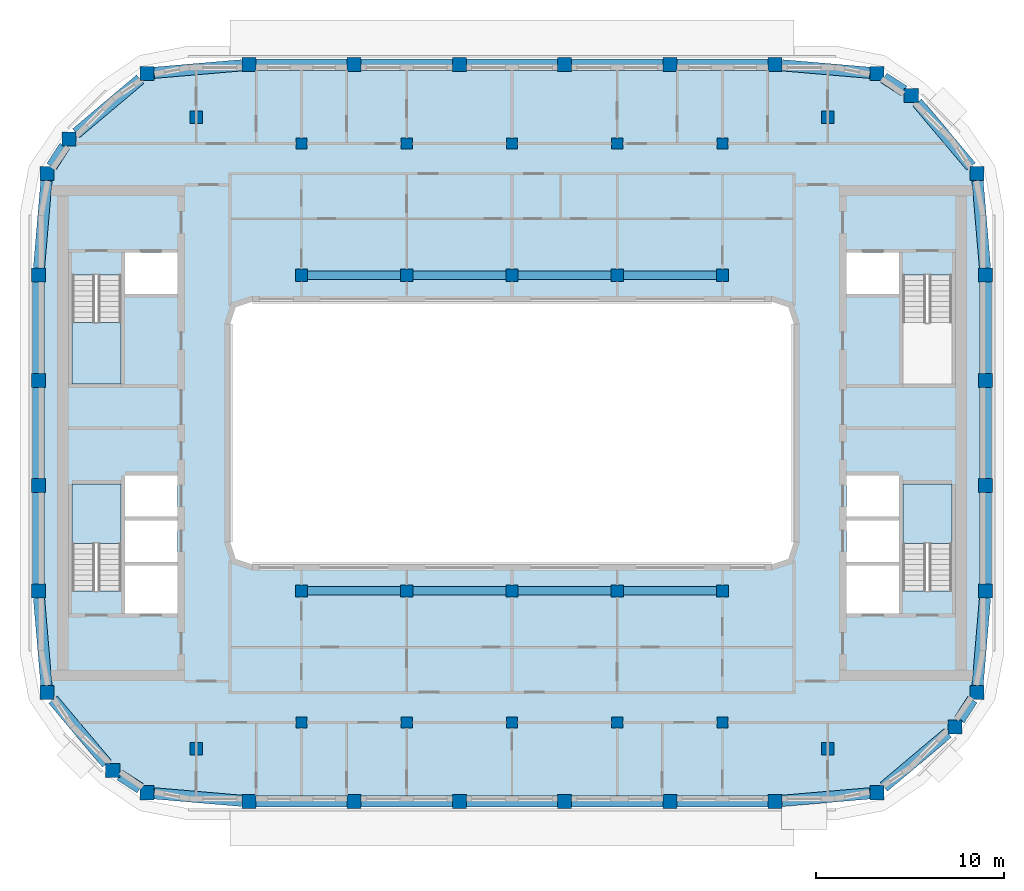
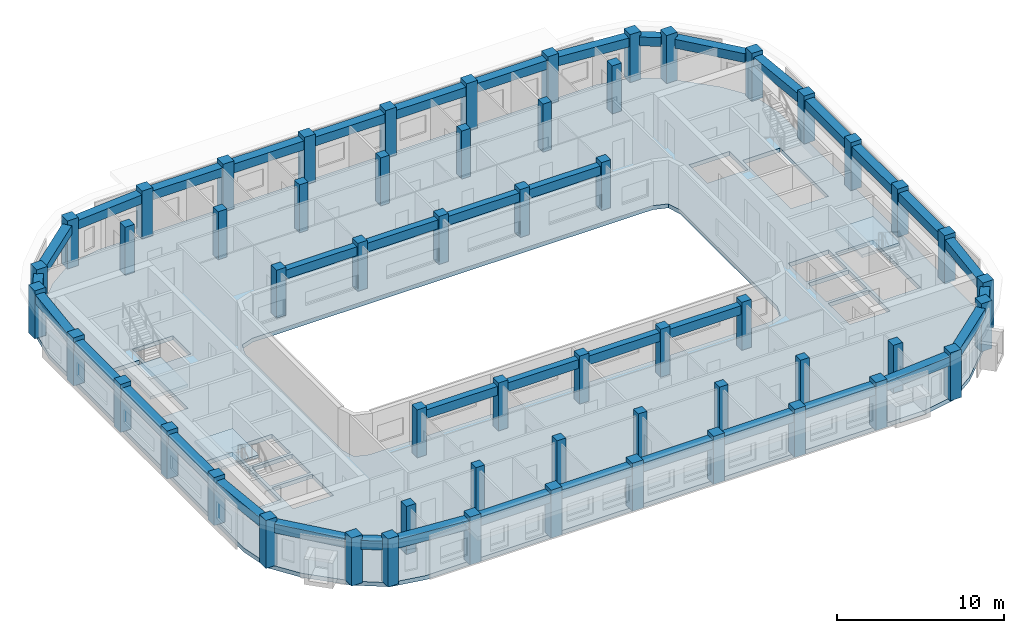
# One storey, part 1 of 16: 56 columns, 40 beams, 4 slabs, 3 elements without a shape of their own.
"""IFC4 building model written with IfcOpenShell, lengths in metres."""

import ifcopenshell
import ifcopenshell.guid

model = None  # the IFC model being written
_history = None  # IfcOwnerHistory: only IFC2X3 demands one
_inside = {}  # id of a spatial element -> (the spatial element, [elements in it])
_under = {}  # id of a project, library or spatial element -> (it, [spatial elements below it])
_declared = {}  # id of a project -> (the project, [libraries it declares])
_typed = {}  # id of a type object -> (the type object, [elements of that type])
_made_of = {}  # id of a material, layer set ... -> (it, [elements and type objects made of it])


def new_model(schema):
    """Start an empty IFC model of exactly this schema.

    Asked for "IFC4X3", IfcOpenShell would pick the latest addendum, in which some entities
    have other attributes; the version numbers below select the first issue.
    IFC2X3 requires an IfcOwnerHistory on every rooted entity: one is made here for all.
    """
    global model, _history
    if schema == "IFC4X3":
        model = ifcopenshell.file(schema_version=(4, 3, 0, 0))
    else:
        model = ifcopenshell.file(schema=schema)
    _inside.clear()
    _under.clear()
    _declared.clear()
    _typed.clear()
    _made_of.clear()
    _history = None
    if model.schema == "IFC2X3":
        org = make("IfcOrganization", Name="unknown")
        user = make(
            "IfcPersonAndOrganization",
            ThePerson=make("IfcPerson", FamilyName="unknown"),
            TheOrganization=org,
        )
        app = make(
            "IfcApplication",
            ApplicationDeveloper=org,
            Version="unknown",
            ApplicationFullName="unknown",
            ApplicationIdentifier="unknown",
        )
        _history = make(
            "IfcOwnerHistory",
            OwningUser=user,
            OwningApplication=app,
            ChangeAction="ADDED",
            CreationDate=0,
        )
    return model


def make(cls, **values):
    """One entity of the class cls with the attributes given. An attribute that is None is left unset."""
    return model.create_entity(
        cls, **{name: value for name, value in values.items() if value is not None}
    )


def rooted(cls, **values):
    """An entity with a GlobalId (a new one), such as an element, a storey or a relation."""
    return make(cls, GlobalId=ifcopenshell.guid.new(), OwnerHistory=_history, **values)


def si_unit(unit_type, name, prefix=None):
    """IfcSIUnit, for example si_unit("LENGTHUNIT", "METRE", prefix="MILLI")."""
    return make("IfcSIUnit", UnitType=unit_type, Prefix=prefix, Name=name)


def assignment(units):
    """IfcUnitAssignment: the units of a project."""
    return None if units is None else make("IfcUnitAssignment", Units=units)


def point(xyz):
    """IfcCartesianPoint."""
    return None if xyz is None else make("IfcCartesianPoint", Coordinates=xyz)


def direction(xyz):
    """IfcDirection."""
    return None if xyz is None else make("IfcDirection", DirectionRatios=xyz)


def frame(location, z_axis=None, x_axis=None):
    """IfcAxis2Placement3D, a coordinate frame: its origin and axes. An axis left out is left unset."""
    return make(
        "IfcAxis2Placement3D",
        Location=point(location),
        Axis=direction(z_axis),
        RefDirection=direction(x_axis),
    )


def frame_2d(location, x_axis=None):
    """IfcAxis2Placement2D, a coordinate frame in the plane: its origin and x axis."""
    return make(
        "IfcAxis2Placement2D", Location=point(location), RefDirection=direction(x_axis)
    )


def origin():
    """The frame at (0, 0, 0) with its axes left unset."""
    return frame((0.0, 0.0, 0.0))


def origin_2d():
    """The frame at (0, 0) in the plane with its x axis left unset."""
    return frame_2d((0.0, 0.0))


def place(relative_to, where):
    """IfcLocalPlacement: puts the frame where relative to a parent placement (None: the world)."""
    return make(
        "IfcLocalPlacement", PlacementRelTo=relative_to, RelativePlacement=where
    )


def context(
    kind, dimensions, precision=None, world=None, true_north=None, identifier=None
):
    """IfcGeometricRepresentationContext, for example the 3D "Model" context."""
    return make(
        "IfcGeometricRepresentationContext",
        ContextIdentifier=identifier,
        ContextType=kind,
        CoordinateSpaceDimension=dimensions,
        Precision=precision,
        WorldCoordinateSystem=world,
        TrueNorth=true_north,
    )


def subcontext(parent, identifier, kind, view, scale=None):
    """IfcGeometricRepresentationSubContext, for example "Body" below "Model"."""
    return make(
        "IfcGeometricRepresentationSubContext",
        ContextIdentifier=identifier,
        ContextType=kind,
        ParentContext=parent,
        TargetScale=scale,
        TargetView=view,
    )


def project(units=None, contexts=None):
    """IfcProject with its units and contexts."""
    return rooted(
        "IfcProject",
        Name="project",
        RepresentationContexts=contexts,
        UnitsInContext=assignment(units),
    )


def spatial(cls, under=None, at=None, **own):
    """A site, building, storey or space (cls), placed at a placement, below another one or the project."""
    s = rooted(cls, ObjectPlacement=at, **own)
    if under is not None:
        _under.setdefault(under.id(), (under, []))[1].append(s)
    return s


def polyline(points):
    """IfcPolyline through the points."""
    return make("IfcPolyline", Points=[point(p) for p in points])


def profile(cls, at=None, kind="AREA", **sizes):
    """A parametric profile (cls). Its sizes go by their IFC names, for example OverallWidth=200.0."""
    return make(cls, ProfileType=kind, Position=at, **sizes)


def rectangle(**sizes):
    """IfcRectangleProfileDef."""
    return profile("IfcRectangleProfileDef", **sizes)


def outline(outer, holes=None, kind="AREA"):
    """IfcArbitraryClosedProfileDef: a profile drawn as a closed curve; with holes, ...WithVoids."""
    if holes is None:
        return make("IfcArbitraryClosedProfileDef", ProfileType=kind, OuterCurve=outer)
    return make(
        "IfcArbitraryProfileDefWithVoids",
        ProfileType=kind,
        OuterCurve=outer,
        InnerCurves=holes,
    )


def extrude(swept, where, along, depth):
    """IfcExtrudedAreaSolid: the profile swept, set in the frame where, extruded along a direction by depth."""
    return make(
        "IfcExtrudedAreaSolid",
        SweptArea=swept,
        Position=where,
        ExtrudedDirection=direction(along),
        Depth=depth,
    )


def shape(context_of_items, identifier, shape_type, items):
    """IfcShapeRepresentation: the items that make up one representation, for example the "Body"."""
    return make(
        "IfcShapeRepresentation",
        ContextOfItems=context_of_items,
        RepresentationIdentifier=identifier,
        RepresentationType=shape_type,
        Items=items,
    )


def material(Name=None, Category=None):
    """IfcMaterial."""
    return make("IfcMaterial", Name=Name, Category=Category)


def layer(
    of_material, thickness, ventilated=None, Name=None, Category=None, Priority=None
):
    """IfcMaterialLayer: one layer of a wall or slab, of a material (None: an air gap)."""
    return make(
        "IfcMaterialLayer",
        Material=of_material,
        LayerThickness=thickness,
        IsVentilated=ventilated,
        Name=Name,
        Category=Category,
        Priority=Priority,
    )


def layer_set(layers, Name=None):
    """IfcMaterialLayerSet."""
    return make("IfcMaterialLayerSet", MaterialLayers=layers, LayerSetName=Name)


def material_profile(
    of_material, cross_section, Name=None, Category=None, Priority=None
):
    """IfcMaterialProfile: a cross section and its material."""
    return make(
        "IfcMaterialProfile",
        Name=Name,
        Material=of_material,
        Profile=cross_section,
        Priority=Priority,
        Category=Category,
    )


def profile_set(profiles, Name=None, composite=None):
    """IfcMaterialProfileSet."""
    return make(
        "IfcMaterialProfileSet",
        Name=Name,
        MaterialProfiles=profiles,
        CompositeProfile=composite,
    )


def made_of(thing, what):
    """Note that an element or type object is made of a material, layer set ...; save() writes the relation."""
    if what is not None:
        _made_of.setdefault(what.id(), (what, []))[1].append(thing)
    return thing


def type_object(cls, material=None, **own):
    """A type object (cls), such as IfcWallType, which elements share."""
    return made_of(rooted(cls, **own), material)


def element(
    cls,
    number,
    at=None,
    inside=None,
    cuts=None,
    type_object=None,
    material=None,
    context=None,
    identifier="Body",
    shape_type=None,
    held_by="IfcProductDefinitionShape",
    body=None,
    shapes=None,
    **own,
):
    """One element of the class cls, such as IfcWall. Its Tag is "e" and its number.

    at: its placement. inside: the storey or other place that contains it. cuts: it is an
    opening in that element (IfcRelVoidsElement). A single representation is given by context,
    identifier, shape_type and body (its items); several are given by shapes. held_by: the class
    of the entity that holds the representations. save() writes the other relations.
    """
    e = rooted(cls, Tag="e%d" % number, ObjectPlacement=at, **own)
    if body is not None:
        shapes = [shape(context, identifier, shape_type, body)]
    if shapes is not None:
        e.Representation = make(held_by, Representations=shapes)
    if inside is not None:
        _inside.setdefault(inside.id(), (inside, []))[1].append(e)
    if cuts is not None:
        rooted(
            "IfcRelVoidsElement", RelatingBuildingElement=cuts, RelatedOpeningElement=e
        )
    if type_object is not None:
        _typed.setdefault(type_object.id(), (type_object, []))[1].append(e)
    return made_of(e, material)


def aggregate(whole, parts):
    """IfcRelAggregates: a whole, such as a stair, and the parts it consists of."""
    return rooted("IfcRelAggregates", RelatingObject=whole, RelatedObjects=parts)


def save(model, path):
    """Write the relations noted so far, then the file.

    IfcRelAggregates (storeys below a building ...), IfcRelContainedInSpatialStructure (elements
    in a storey), IfcRelDefinesByType, IfcRelAssociatesMaterial and IfcRelDeclares: one each for
    every whole, place, type object, material and project.
    """
    for whole, parts in _under.values():
        aggregate(whole, parts)
    for where, things in _inside.values():
        rooted(
            "IfcRelContainedInSpatialStructure",
            RelatedElements=things,
            RelatingStructure=where,
        )
    for kind, things in _typed.values():
        rooted("IfcRelDefinesByType", RelatedObjects=things, RelatingType=kind)
    for what, things in _made_of.values():
        rooted("IfcRelAssociatesMaterial", RelatedObjects=things, RelatingMaterial=what)
    for by, libraries in _declared.values():
        rooted("IfcRelDeclares", RelatingContext=by, RelatedDefinitions=libraries)
    model.write(path)


model = new_model("IFC4")

# Units and contexts
model_context = context("Model", 3, precision=1e-05, world=origin(), true_north=direction((0.0, 1.0)))
body_context = subcontext(model_context, "Body", "Model", "MODEL_VIEW")
ifc_project = project(units=[si_unit("LENGTHUNIT", "METRE"), si_unit("AREAUNIT", "SQUARE_METRE"), si_unit("VOLUMEUNIT", "CUBIC_METRE"), si_unit("PLANEANGLEUNIT", "RADIAN"), si_unit("MASSUNIT", "GRAM", prefix="KILO")], contexts=[model_context])

# Site, building, storey
site_placement = place(None, origin())
site = spatial("IfcSite", under=ifc_project, at=site_placement, CompositionType="ELEMENT")
building_placement = place(site_placement, origin())
building = spatial("IfcBuilding", under=site, at=building_placement, Name="Kiln Ring Residences", CompositionType="ELEMENT")
storey_placement = place(building_placement, frame((0.0, 0.0, 273.199951171875)))
storey = spatial("IfcBuildingStorey", under=building, at=storey_placement, Name="L71", CompositionType="ELEMENT", Elevation=273.199951171875)

# Columns
ifc_material_1 = material(Name="Concrete C60/75", Category="concrete")
ifc_material_profile_1 = material_profile(ifc_material_1, rectangle(XDim=0.60009765625, YDim=0.60009765625, at=origin_2d()), Name="RC600x600")
ifc_profile_set_1 = profile_set([ifc_material_profile_1], Name="Concrete C60/75")
column_type_1 = type_object("IfcColumnType", Name="Corridor column RC600x600 C60/75", PredefinedType="COLUMN", material=ifc_profile_set_1)
for number, where, z_axis, x_axis, name in (
    (1, (-11.199951171875, 15.39990234375, 0.0), (0.0, 0.0, 1.0), (1.0, 0.0, 0.0), "Corridor column L71 1"),
    (2, (-5.60009765625, 15.39990234375, 0.0), (0.0, 0.0, 1.0), (1.0, 0.0, 0.0), "Corridor column L71 2"),
    (3, (0.0, 15.39990234375, 0.0), (0.0, 0.0, 1.0), (1.0, 0.0, 0.0), "Corridor column L71 3"),
    (4, (5.60009765625, 15.39990234375, 0.0), (0.0, 0.0, 1.0), (1.0, 0.0, 0.0), "Corridor column L71 4"),
    (5, (11.199951171875, 15.39990234375, 0.0), (0.0, 0.0, 1.0), (1.0, 0.0, 0.0), "Corridor column L71 5"),
    (6, (-11.199951171875, -15.39990234375, 0.0), (0.0, 0.0, 1.0), (1.0, 0.0, 0.0), "Corridor column L71 6"),
    (7, (-5.60009765625, -15.39990234375, 0.0), (0.0, 0.0, 1.0), (1.0, 0.0, 0.0), "Corridor column L71 7"),
    (8, (0.0, -15.39990234375, 0.0), (0.0, 0.0, 1.0), (1.0, 0.0, 0.0), "Corridor column L71 8"),
    (9, (5.60009765625, -15.39990234375, 0.0), (0.0, 0.0, 1.0), (1.0, 0.0, 0.0), "Corridor column L71 9"),
    (10, (11.199951171875, -15.39990234375, 0.0), (0.0, 0.0, 1.0), (1.0, 0.0, 0.0), "Corridor column L71 10"),
):
    element("IfcColumn", number, at=place(storey_placement, frame(where, z_axis=z_axis, x_axis=x_axis)), inside=storey, type_object=column_type_1, Name=name, PredefinedType="COLUMN", context=body_context, shape_type="SweptSolid", body=[
        extrude(rectangle(XDim=0.60009765625, YDim=0.60009765625, at=origin_2d()), origin(), (0.0, 0.0, 1.0), 3.5),
    ])
ifc_material_2 = material(Name="Concrete C60/75", Category="concrete")
ifc_material_profile_2 = material_profile(ifc_material_2, rectangle(XDim=0.75, YDim=0.75, at=origin_2d()), Name="RC750x750")
ifc_profile_set_2 = profile_set([ifc_material_profile_2], Name="Concrete C60/75")
column_type_2 = type_object("IfcColumnType", Name="Perimeter column RC750x750 C60/75", PredefinedType="COLUMN", material=ifc_profile_set_2)
for number, where, z_axis, x_axis, name in (
    (11, (-19.40869140625, -19.13818359375, 0.0), (0.0, 0.0, 1.0), (1.0, 0.0, 0.0), "Perimeter column L71 1"),
    (12, (-14.0, -19.60009765625, 0.0), (0.0, 0.0, 1.0), (1.0, 0.0, 0.0), "Perimeter column L71 2"),
    (13, (-8.39990234375, -19.60009765625, 0.0), (0.0, 0.0, 1.0), (1.0, 0.0, 0.0), "Perimeter column L71 3"),
    (14, (-2.800048828125, -19.60009765625, 0.0), (0.0, 0.0, 1.0), (1.0, 0.0, 0.0), "Perimeter column L71 4"),
    (15, (2.800048828125, -19.60009765625, 0.0), (0.0, 0.0, 1.0), (1.0, 0.0, 0.0), "Perimeter column L71 5"),
    (16, (8.39990234375, -19.60009765625, 0.0), (0.0, 0.0, 1.0), (1.0, 0.0, 0.0), "Perimeter column L71 6"),
    (17, (14.0, -19.60009765625, 0.0), (0.0, 0.0, 1.0), (1.0, 0.0, 0.0), "Perimeter column L71 7"),
    (18, (19.40869140625, -19.13818359375, 0.0), (0.0, 0.0, 1.0), (1.0, 0.0, 0.0), "Perimeter column L71 8"),
    (19, (23.559814453125, -15.64013671875, 0.0), (0.0, 0.0, 1.0), (1.0, 0.0, 0.0), "Perimeter column L71 9"),
    (20, (24.738037109375, -13.80859375, 0.0), (0.0, 0.0, 1.0), (1.0, 0.0, 0.0), "Perimeter column L71 10"),
    (21, (25.199951171875, -8.39990234375, 0.0), (0.0, 0.0, 1.0), (1.0, 0.0, 0.0), "Perimeter column L71 11"),
    (22, (25.199951171875, -2.800048828125, 0.0), (0.0, 0.0, 1.0), (1.0, 0.0, 0.0), "Perimeter column L71 12"),
    (23, (25.199951171875, 2.800048828125, 0.0), (0.0, 0.0, 1.0), (1.0, 0.0, 0.0), "Perimeter column L71 13"),
    (24, (25.199951171875, 8.39990234375, 0.0), (0.0, 0.0, 1.0), (1.0, 0.0, 0.0), "Perimeter column L71 14"),
    (25, (24.738037109375, 13.80859375, 0.0), (0.0, 0.0, 1.0), (1.0, 0.0, 0.0), "Perimeter column L71 15"),
    (26, (21.240234375, 17.959716796875, 0.0), (0.0, 0.0, 1.0), (1.0, 0.0, 0.0), "Perimeter column L71 16"),
    (27, (19.40869140625, 19.13818359375, 0.0), (0.0, 0.0, 1.0), (1.0, 0.0, 0.0), "Perimeter column L71 17"),
    (28, (14.0, 19.60009765625, 0.0), (0.0, 0.0, 1.0), (1.0, 0.0, 0.0), "Perimeter column L71 18"),
    (29, (8.39990234375, 19.60009765625, 0.0), (0.0, 0.0, 1.0), (1.0, 0.0, 0.0), "Perimeter column L71 19"),
    (30, (2.800048828125, 19.60009765625, 0.0), (0.0, 0.0, 1.0), (1.0, 0.0, 0.0), "Perimeter column L71 20"),
    (31, (-2.800048828125, 19.60009765625, 0.0), (0.0, 0.0, 1.0), (1.0, 0.0, 0.0), "Perimeter column L71 21"),
    (32, (-8.39990234375, 19.60009765625, 0.0), (0.0, 0.0, 1.0), (1.0, 0.0, 0.0), "Perimeter column L71 22"),
    (33, (-14.0, 19.60009765625, 0.0), (0.0, 0.0, 1.0), (1.0, 0.0, 0.0), "Perimeter column L71 23"),
    (34, (-19.40869140625, 19.13818359375, 0.0), (0.0, 0.0, 1.0), (1.0, 0.0, 0.0), "Perimeter column L71 24"),
    (35, (-23.559814453125, 15.64013671875, 0.0), (0.0, 0.0, 1.0), (1.0, 0.0, 0.0), "Perimeter column L71 25"),
    (36, (-24.738037109375, 13.80859375, 0.0), (0.0, 0.0, 1.0), (1.0, 0.0, 0.0), "Perimeter column L71 26"),
    (37, (-25.199951171875, 8.39990234375, 0.0), (0.0, 0.0, 1.0), (1.0, 0.0, 0.0), "Perimeter column L71 27"),
    (38, (-25.199951171875, 2.800048828125, 0.0), (0.0, 0.0, 1.0), (1.0, 0.0, 0.0), "Perimeter column L71 28"),
    (39, (-25.199951171875, -2.800048828125, 0.0), (0.0, 0.0, 1.0), (1.0, 0.0, 0.0), "Perimeter column L71 29"),
    (40, (-25.199951171875, -8.39990234375, 0.0), (0.0, 0.0, 1.0), (1.0, 0.0, 0.0), "Perimeter column L71 30"),
    (41, (-24.738037109375, -13.80859375, 0.0), (0.0, 0.0, 1.0), (1.0, 0.0, 0.0), "Perimeter column L71 31"),
    (42, (-21.240234375, -17.959716796875, 0.0), (0.0, 0.0, 1.0), (1.0, 0.0, 0.0), "Perimeter column L71 32"),
):
    element("IfcColumn", number, at=place(storey_placement, frame(where, z_axis=z_axis, x_axis=x_axis)), inside=storey, type_object=column_type_2, Name=name, PredefinedType="COLUMN", context=body_context, shape_type="SweptSolid", body=[
        extrude(rectangle(XDim=0.75, YDim=0.75, at=origin_2d()), origin(), (0.0, 0.0, 1.0), 3.5),
    ])
ifc_material_3 = material(Name="Concrete C60/75", Category="concrete")
ifc_material_profile_3 = material_profile(ifc_material_3, rectangle(XDim=0.64990234375, YDim=0.64990234375, at=origin_2d()), Name="RC650x650")
ifc_profile_set_3 = profile_set([ifc_material_profile_3], Name="Concrete C60/75")
column_type_3 = type_object("IfcColumnType", Name="Ring column RC650x650 C60/75", PredefinedType="COLUMN", material=ifc_profile_set_3)
for number, where, z_axis, x_axis, name in (
    (43, (-16.800048828125, -16.800048828125, 0.0), (0.0, 0.0, 1.0), (1.0, 0.0, 0.0), "Ring column L71 1"),
    (44, (-16.800048828125, 16.800048828125, 0.0), (0.0, 0.0, 1.0), (1.0, 0.0, 0.0), "Ring column L71 2"),
    (45, (-11.199951171875, -8.39990234375, 0.0), (0.0, 0.0, 1.0), (1.0, 0.0, 0.0), "Ring column L71 3"),
    (46, (-11.199951171875, 8.39990234375, 0.0), (0.0, 0.0, 1.0), (1.0, 0.0, 0.0), "Ring column L71 4"),
    (47, (-5.60009765625, -8.39990234375, 0.0), (0.0, 0.0, 1.0), (1.0, 0.0, 0.0), "Ring column L71 5"),
    (48, (-5.60009765625, 8.39990234375, 0.0), (0.0, 0.0, 1.0), (1.0, 0.0, 0.0), "Ring column L71 6"),
    (49, (0.0, -8.39990234375, 0.0), (0.0, 0.0, 1.0), (1.0, 0.0, 0.0), "Ring column L71 7"),
    (50, (0.0, 8.39990234375, 0.0), (0.0, 0.0, 1.0), (1.0, 0.0, 0.0), "Ring column L71 8"),
    (51, (5.60009765625, -8.39990234375, 0.0), (0.0, 0.0, 1.0), (1.0, 0.0, 0.0), "Ring column L71 9"),
    (52, (5.60009765625, 8.39990234375, 0.0), (0.0, 0.0, 1.0), (1.0, 0.0, 0.0), "Ring column L71 10"),
    (53, (11.199951171875, -8.39990234375, 0.0), (0.0, 0.0, 1.0), (1.0, 0.0, 0.0), "Ring column L71 11"),
    (54, (11.199951171875, 8.39990234375, 0.0), (0.0, 0.0, 1.0), (1.0, 0.0, 0.0), "Ring column L71 12"),
    (55, (16.800048828125, -16.800048828125, 0.0), (0.0, 0.0, 1.0), (1.0, 0.0, 0.0), "Ring column L71 13"),
    (56, (16.800048828125, 16.800048828125, 0.0), (0.0, 0.0, 1.0), (1.0, 0.0, 0.0), "Ring column L71 14"),
):
    element("IfcColumn", number, at=place(storey_placement, frame(where, z_axis=z_axis, x_axis=x_axis)), inside=storey, type_object=column_type_3, Name=name, PredefinedType="COLUMN", context=body_context, shape_type="SweptSolid", body=[
        extrude(rectangle(XDim=0.64990234375, YDim=0.64990234375, at=origin_2d()), origin(), (0.0, 0.0, 1.0), 3.5),
    ])

# Beams
ifc_material_4 = material(Name="Concrete C50/60", Category="concrete")
ifc_material_profile_4 = material_profile(ifc_material_4, rectangle(XDim=0.449951171875, YDim=0.64990234375, at=origin_2d()), Name="RC450x650")
ifc_profile_set_4 = profile_set([ifc_material_profile_4], Name="Concrete C50/60")
beam_type_1 = type_object("IfcBeamType", Name="Ring beam RC450x650 C50/60", PredefinedType="BEAM", material=ifc_profile_set_4)
for number, where, z_axis, x_axis, name in (
    (57, (-10.875, -8.39990234375, 2.875), (1.0, 0.0, 0.0), (0.0, 1.0, 0.0), "Ring beam L71 1"),
    (58, (-5.27490234375, -8.39990234375, 2.875), (1.0, 0.0, 0.0), (0.0, 1.0, 0.0), "Ring beam L71 2"),
    (59, (0.324951171875, -8.39990234375, 2.875), (1.0, 0.0, 0.0), (0.0, 1.0, 0.0), "Ring beam L71 3"),
    (60, (5.925048828125, -8.39990234375, 2.875), (1.0, 0.0, 0.0), (0.0, 1.0, 0.0), "Ring beam L71 4"),
    (61, (-10.875, 8.39990234375, 2.875), (1.0, 0.0, 0.0), (0.0, 1.0, 0.0), "Ring beam L71 5"),
    (62, (-5.27490234375, 8.39990234375, 2.875), (1.0, 0.0, 0.0), (0.0, 1.0, 0.0), "Ring beam L71 6"),
    (63, (0.324951171875, 8.39990234375, 2.875), (1.0, 0.0, 0.0), (0.0, 1.0, 0.0), "Ring beam L71 7"),
    (64, (5.925048828125, 8.39990234375, 2.875), (1.0, 0.0, 0.0), (0.0, 1.0, 0.0), "Ring beam L71 8"),
):
    element("IfcBeam", number, at=place(storey_placement, frame(where, z_axis=z_axis, x_axis=x_axis)), inside=storey, type_object=beam_type_1, Name=name, PredefinedType="BEAM", context=body_context, shape_type="SweptSolid", body=[
        extrude(rectangle(XDim=0.449951171875, YDim=0.64990234375, at=origin_2d()), origin(), (0.0, 0.0, 1.0), 4.949951171875),
    ])
ifc_material_5 = material(Name="Concrete C50/60", Category="concrete")
ifc_material_profile_5 = material_profile(ifc_material_5, rectangle(XDim=0.60009765625, YDim=0.64990234375, at=origin_2d()), Name="RC600x650")
ifc_profile_set_5 = profile_set([ifc_material_profile_5], Name="Concrete C50/60")
beam_type_2 = type_object("IfcBeamType", Name="Spandrel beam RC600x650 C50/60", PredefinedType="SPANDREL", material=ifc_profile_set_5)
beam_1_placement = place(storey_placement, frame((-19.03369140625, -19.170166015625, 2.875), z_axis=(0.996375913916, -0.085059027553, 0.0), x_axis=(0.085059027553, 0.996375913916, 0.0)))
element("IfcBeam", 65, at=beam_1_placement, inside=storey, type_object=beam_type_2, Name="Spandrel beam L71 1", PredefinedType="SPANDREL", context=body_context, shape_type="SweptSolid", body=[
    extrude(rectangle(XDim=0.60009765625, YDim=0.64990234375, at=origin_2d()), origin(), (0.0, 0.0, 1.0), 4.675537109375),
])
beam_2_placement = place(storey_placement, frame((-13.625, -19.60009765625, 2.875), z_axis=(1.0, 0.0, 0.0), x_axis=(0.0, 1.0, 0.0)))
element("IfcBeam", 66, at=beam_2_placement, inside=storey, type_object=beam_type_2, Name="Spandrel beam L71 2", PredefinedType="SPANDREL", context=body_context, shape_type="SweptSolid", body=[
    extrude(rectangle(XDim=0.60009765625, YDim=0.64990234375, at=origin_2d()), origin(), (0.0, 0.0, 1.0), 4.85009765625),
])
beam_3_placement = place(storey_placement, frame((-8.02490234375, -19.60009765625, 2.875), z_axis=(1.0, 0.0, 0.0), x_axis=(0.0, 1.0, 0.0)))
element("IfcBeam", 67, at=beam_3_placement, inside=storey, type_object=beam_type_2, Name="Spandrel beam L71 3", PredefinedType="SPANDREL", context=body_context, shape_type="SweptSolid", body=[
    extrude(rectangle(XDim=0.60009765625, YDim=0.64990234375, at=origin_2d()), origin(), (0.0, 0.0, 1.0), 4.849853515625),
])
beam_4_placement = place(storey_placement, frame((-2.425048828125, -19.60009765625, 2.875), z_axis=(1.0, 0.0, 0.0), x_axis=(0.0, 1.0, 0.0)))
element("IfcBeam", 68, at=beam_4_placement, inside=storey, type_object=beam_type_2, Name="Spandrel beam L71 4", PredefinedType="SPANDREL", context=body_context, shape_type="SweptSolid", body=[
    extrude(rectangle(XDim=0.60009765625, YDim=0.64990234375, at=origin_2d()), origin(), (0.0, 0.0, 1.0), 4.85009765625),
])
beam_5_placement = place(storey_placement, frame((3.175048828125, -19.60009765625, 2.875), z_axis=(1.0, 0.0, 0.0), x_axis=(0.0, 1.0, 0.0)))
element("IfcBeam", 69, at=beam_5_placement, inside=storey, type_object=beam_type_2, Name="Spandrel beam L71 5", PredefinedType="SPANDREL", context=body_context, shape_type="SweptSolid", body=[
    extrude(rectangle(XDim=0.60009765625, YDim=0.64990234375, at=origin_2d()), origin(), (0.0, 0.0, 1.0), 4.849853515625),
])
beam_6_placement = place(storey_placement, frame((8.77490234375, -19.60009765625, 2.875), z_axis=(1.0, 0.0, 0.0), x_axis=(0.0, 1.0, 0.0)))
element("IfcBeam", 70, at=beam_6_placement, inside=storey, type_object=beam_type_2, Name="Spandrel beam L71 6", PredefinedType="SPANDREL", context=body_context, shape_type="SweptSolid", body=[
    extrude(rectangle(XDim=0.60009765625, YDim=0.64990234375, at=origin_2d()), origin(), (0.0, 0.0, 1.0), 4.85009765625),
])
beam_7_placement = place(storey_placement, frame((14.375, -19.56787109375, 2.875), z_axis=(0.996375913916, 0.085059027553, 0.0), x_axis=(-0.085059027553, 0.996375913916, 0.0)))
element("IfcBeam", 71, at=beam_7_placement, inside=storey, type_object=beam_type_2, Name="Spandrel beam L71 7", PredefinedType="SPANDREL", context=body_context, shape_type="SweptSolid", body=[
    extrude(rectangle(XDim=0.60009765625, YDim=0.64990234375, at=origin_2d()), origin(), (0.0, 0.0, 1.0), 4.675537109375),
])
beam_8_placement = place(storey_placement, frame((19.78369140625, -18.822021484375, 2.875), z_axis=(0.764731805725, 0.644348714062, 0.0), x_axis=(-0.644348714062, 0.764731805725, 0.0)))
element("IfcBeam", 72, at=beam_8_placement, inside=storey, type_object=beam_type_2, Name="Spandrel beam L71 8", PredefinedType="SPANDREL", context=body_context, shape_type="SweptSolid", body=[
    extrude(rectangle(XDim=0.60009765625, YDim=0.64990234375, at=origin_2d()), origin(), (0.0, 0.0, 1.0), 4.447509765625),
])
beam_9_placement = place(storey_placement, frame((23.801025390625, -15.26513671875, 2.875), z_axis=(0.541045404444, 0.840993383048, 0.0), x_axis=(-0.840993383048, 0.541045404444, 0.0)))
element("IfcBeam", 73, at=beam_9_placement, inside=storey, type_object=beam_type_2, Name="Spandrel beam L71 9", PredefinedType="SPANDREL", context=body_context, shape_type="SweptSolid", body=[
    extrude(rectangle(XDim=0.60009765625, YDim=0.64990234375, at=origin_2d()), origin(), (0.0, 0.0, 1.0), 1.2861328125),
])
beam_10_placement = place(storey_placement, frame((24.77001953125, -13.43359375, 2.875), z_axis=(0.085110864913, 0.996371487285, 0.0), x_axis=(-0.996371487285, 0.085110864913, 0.0)))
element("IfcBeam", 74, at=beam_10_placement, inside=storey, type_object=beam_type_2, Name="Spandrel beam L71 10", PredefinedType="SPANDREL", context=body_context, shape_type="SweptSolid", body=[
    extrude(rectangle(XDim=0.60009765625, YDim=0.64990234375, at=origin_2d()), origin(), (0.0, 0.0, 1.0), 4.675537109375),
])
beam_11_placement = place(storey_placement, frame((25.199951171875, -8.02490234375, 2.875), z_axis=(0.0, 1.0, 0.0), x_axis=(-1.0, 0.0, 0.0)))
element("IfcBeam", 75, at=beam_11_placement, inside=storey, type_object=beam_type_2, Name="Spandrel beam L71 11", PredefinedType="SPANDREL", context=body_context, shape_type="SweptSolid", body=[
    extrude(rectangle(XDim=0.60009765625, YDim=0.64990234375, at=origin_2d()), origin(), (0.0, 0.0, 1.0), 4.849853515625),
])
beam_12_placement = place(storey_placement, frame((25.199951171875, -2.425048828125, 2.875), z_axis=(0.0, 1.0, 0.0), x_axis=(-1.0, 0.0, 0.0)))
element("IfcBeam", 76, at=beam_12_placement, inside=storey, type_object=beam_type_2, Name="Spandrel beam L71 12", PredefinedType="SPANDREL", context=body_context, shape_type="SweptSolid", body=[
    extrude(rectangle(XDim=0.60009765625, YDim=0.64990234375, at=origin_2d()), origin(), (0.0, 0.0, 1.0), 4.85009765625),
])
beam_13_placement = place(storey_placement, frame((25.199951171875, 3.175048828125, 2.875), z_axis=(0.0, 1.0, 0.0), x_axis=(-1.0, 0.0, 0.0)))
element("IfcBeam", 77, at=beam_13_placement, inside=storey, type_object=beam_type_2, Name="Spandrel beam L71 13", PredefinedType="SPANDREL", context=body_context, shape_type="SweptSolid", body=[
    extrude(rectangle(XDim=0.60009765625, YDim=0.64990234375, at=origin_2d()), origin(), (0.0, 0.0, 1.0), 4.849853515625),
])
beam_14_placement = place(storey_placement, frame((25.16796875, 8.77490234375, 2.875), z_axis=(-0.085110864913, 0.996371487285, 0.0), x_axis=(-0.996371487285, -0.085110864913, 0.0)))
element("IfcBeam", 78, at=beam_14_placement, inside=storey, type_object=beam_type_2, Name="Spandrel beam L71 14", PredefinedType="SPANDREL", context=body_context, shape_type="SweptSolid", body=[
    extrude(rectangle(XDim=0.60009765625, YDim=0.64990234375, at=origin_2d()), origin(), (0.0, 0.0, 1.0), 4.675537109375),
])
beam_15_placement = place(storey_placement, frame((24.422119140625, 14.18359375, 2.875), z_axis=(-0.644380815325, 0.764704756648, 0.0), x_axis=(-0.764704756648, -0.644380815325, 0.0)))
element("IfcBeam", 79, at=beam_15_placement, inside=storey, type_object=beam_type_2, Name="Spandrel beam L71 15", PredefinedType="SPANDREL", context=body_context, shape_type="SweptSolid", body=[
    extrude(rectangle(XDim=0.60009765625, YDim=0.64990234375, at=origin_2d()), origin(), (0.0, 0.0, 1.0), 4.447509765625),
])
beam_16_placement = place(storey_placement, frame((20.865234375, 18.201171875, 2.875), z_axis=(-0.841079761586, 0.540911115295, 0.0), x_axis=(-0.540911115295, -0.841079761586, 0.0)))
element("IfcBeam", 80, at=beam_16_placement, inside=storey, type_object=beam_type_2, Name="Spandrel beam L71 16", PredefinedType="SPANDREL", context=body_context, shape_type="SweptSolid", body=[
    extrude(rectangle(XDim=0.60009765625, YDim=0.64990234375, at=origin_2d()), origin(), (0.0, 0.0, 1.0), 1.285888671875),
])
beam_17_placement = place(storey_placement, frame((19.03369140625, 19.170166015625, 2.875), z_axis=(-0.996375913916, 0.085059027553, 0.0), x_axis=(-0.085059027553, -0.996375913916, 0.0)))
element("IfcBeam", 81, at=beam_17_placement, inside=storey, type_object=beam_type_2, Name="Spandrel beam L71 17", PredefinedType="SPANDREL", context=body_context, shape_type="SweptSolid", body=[
    extrude(rectangle(XDim=0.60009765625, YDim=0.64990234375, at=origin_2d()), origin(), (0.0, 0.0, 1.0), 4.675537109375),
])
beam_18_placement = place(storey_placement, frame((13.625, 19.60009765625, 2.875), z_axis=(-1.0, 0.0, 0.0), x_axis=(0.0, -1.0, 0.0)))
element("IfcBeam", 82, at=beam_18_placement, inside=storey, type_object=beam_type_2, Name="Spandrel beam L71 18", PredefinedType="SPANDREL", context=body_context, shape_type="SweptSolid", body=[
    extrude(rectangle(XDim=0.60009765625, YDim=0.64990234375, at=origin_2d()), origin(), (0.0, 0.0, 1.0), 4.85009765625),
])
beam_19_placement = place(storey_placement, frame((8.02490234375, 19.60009765625, 2.875), z_axis=(-1.0, 0.0, 0.0), x_axis=(0.0, -1.0, 0.0)))
element("IfcBeam", 83, at=beam_19_placement, inside=storey, type_object=beam_type_2, Name="Spandrel beam L71 19", PredefinedType="SPANDREL", context=body_context, shape_type="SweptSolid", body=[
    extrude(rectangle(XDim=0.60009765625, YDim=0.64990234375, at=origin_2d()), origin(), (0.0, 0.0, 1.0), 4.849853515625),
])
beam_20_placement = place(storey_placement, frame((2.425048828125, 19.60009765625, 2.875), z_axis=(-1.0, 0.0, 0.0), x_axis=(0.0, -1.0, 0.0)))
element("IfcBeam", 84, at=beam_20_placement, inside=storey, type_object=beam_type_2, Name="Spandrel beam L71 20", PredefinedType="SPANDREL", context=body_context, shape_type="SweptSolid", body=[
    extrude(rectangle(XDim=0.60009765625, YDim=0.64990234375, at=origin_2d()), origin(), (0.0, 0.0, 1.0), 4.85009765625),
])
beam_21_placement = place(storey_placement, frame((-3.175048828125, 19.60009765625, 2.875), z_axis=(-1.0, 0.0, 0.0), x_axis=(0.0, -1.0, 0.0)))
element("IfcBeam", 85, at=beam_21_placement, inside=storey, type_object=beam_type_2, Name="Spandrel beam L71 21", PredefinedType="SPANDREL", context=body_context, shape_type="SweptSolid", body=[
    extrude(rectangle(XDim=0.60009765625, YDim=0.64990234375, at=origin_2d()), origin(), (0.0, 0.0, 1.0), 4.849853515625),
])
beam_22_placement = place(storey_placement, frame((-8.77490234375, 19.60009765625, 2.875), z_axis=(-1.0, 0.0, 0.0), x_axis=(0.0, -1.0, 0.0)))
element("IfcBeam", 86, at=beam_22_placement, inside=storey, type_object=beam_type_2, Name="Spandrel beam L71 22", PredefinedType="SPANDREL", context=body_context, shape_type="SweptSolid", body=[
    extrude(rectangle(XDim=0.60009765625, YDim=0.64990234375, at=origin_2d()), origin(), (0.0, 0.0, 1.0), 4.85009765625),
])
beam_23_placement = place(storey_placement, frame((-14.375, 19.56787109375, 2.875), z_axis=(-0.996375913916, -0.085059027553, 0.0), x_axis=(0.085059027553, -0.996375913916, 0.0)))
element("IfcBeam", 87, at=beam_23_placement, inside=storey, type_object=beam_type_2, Name="Spandrel beam L71 23", PredefinedType="SPANDREL", context=body_context, shape_type="SweptSolid", body=[
    extrude(rectangle(XDim=0.60009765625, YDim=0.64990234375, at=origin_2d()), origin(), (0.0, 0.0, 1.0), 4.675537109375),
])
beam_24_placement = place(storey_placement, frame((-19.78369140625, 18.822021484375, 2.875), z_axis=(-0.764731805725, -0.644348714062, 0.0), x_axis=(0.644348714062, -0.764731805725, 0.0)))
element("IfcBeam", 88, at=beam_24_placement, inside=storey, type_object=beam_type_2, Name="Spandrel beam L71 24", PredefinedType="SPANDREL", context=body_context, shape_type="SweptSolid", body=[
    extrude(rectangle(XDim=0.60009765625, YDim=0.64990234375, at=origin_2d()), origin(), (0.0, 0.0, 1.0), 4.447509765625),
])
beam_25_placement = place(storey_placement, frame((-23.801025390625, 15.26513671875, 2.875), z_axis=(-0.541045404444, -0.840993383048, 0.0), x_axis=(0.840993383048, -0.541045404444, 0.0)))
element("IfcBeam", 89, at=beam_25_placement, inside=storey, type_object=beam_type_2, Name="Spandrel beam L71 25", PredefinedType="SPANDREL", context=body_context, shape_type="SweptSolid", body=[
    extrude(rectangle(XDim=0.60009765625, YDim=0.64990234375, at=origin_2d()), origin(), (0.0, 0.0, 1.0), 1.2861328125),
])
beam_26_placement = place(storey_placement, frame((-24.77001953125, 13.43359375, 2.875), z_axis=(-0.085110864913, -0.996371487285, 0.0), x_axis=(0.996371487285, -0.085110864913, 0.0)))
element("IfcBeam", 90, at=beam_26_placement, inside=storey, type_object=beam_type_2, Name="Spandrel beam L71 26", PredefinedType="SPANDREL", context=body_context, shape_type="SweptSolid", body=[
    extrude(rectangle(XDim=0.60009765625, YDim=0.64990234375, at=origin_2d()), origin(), (0.0, 0.0, 1.0), 4.675537109375),
])
beam_27_placement = place(storey_placement, frame((-25.199951171875, 8.02490234375, 2.875), z_axis=(0.0, -1.0, 0.0), x_axis=(1.0, 0.0, 0.0)))
element("IfcBeam", 91, at=beam_27_placement, inside=storey, type_object=beam_type_2, Name="Spandrel beam L71 27", PredefinedType="SPANDREL", context=body_context, shape_type="SweptSolid", body=[
    extrude(rectangle(XDim=0.60009765625, YDim=0.64990234375, at=origin_2d()), origin(), (0.0, 0.0, 1.0), 4.849853515625),
])
beam_28_placement = place(storey_placement, frame((-25.199951171875, 2.425048828125, 2.875), z_axis=(0.0, -1.0, 0.0), x_axis=(1.0, 0.0, 0.0)))
element("IfcBeam", 92, at=beam_28_placement, inside=storey, type_object=beam_type_2, Name="Spandrel beam L71 28", PredefinedType="SPANDREL", context=body_context, shape_type="SweptSolid", body=[
    extrude(rectangle(XDim=0.60009765625, YDim=0.64990234375, at=origin_2d()), origin(), (0.0, 0.0, 1.0), 4.85009765625),
])
beam_29_placement = place(storey_placement, frame((-25.199951171875, -3.175048828125, 2.875), z_axis=(0.0, -1.0, 0.0), x_axis=(1.0, 0.0, 0.0)))
element("IfcBeam", 93, at=beam_29_placement, inside=storey, type_object=beam_type_2, Name="Spandrel beam L71 29", PredefinedType="SPANDREL", context=body_context, shape_type="SweptSolid", body=[
    extrude(rectangle(XDim=0.60009765625, YDim=0.64990234375, at=origin_2d()), origin(), (0.0, 0.0, 1.0), 4.849853515625),
])
beam_30_placement = place(storey_placement, frame((-25.16796875, -8.77490234375, 2.875), z_axis=(0.085110864913, -0.996371487285, 0.0), x_axis=(0.996371487285, 0.085110864913, 0.0)))
element("IfcBeam", 94, at=beam_30_placement, inside=storey, type_object=beam_type_2, Name="Spandrel beam L71 30", PredefinedType="SPANDREL", context=body_context, shape_type="SweptSolid", body=[
    extrude(rectangle(XDim=0.60009765625, YDim=0.64990234375, at=origin_2d()), origin(), (0.0, 0.0, 1.0), 4.675537109375),
])
beam_31_placement = place(storey_placement, frame((-24.422119140625, -14.18359375, 2.875), z_axis=(0.644380815325, -0.764704756648, 0.0), x_axis=(0.764704756648, 0.644380815325, 0.0)))
element("IfcBeam", 95, at=beam_31_placement, inside=storey, type_object=beam_type_2, Name="Spandrel beam L71 31", PredefinedType="SPANDREL", context=body_context, shape_type="SweptSolid", body=[
    extrude(rectangle(XDim=0.60009765625, YDim=0.64990234375, at=origin_2d()), origin(), (0.0, 0.0, 1.0), 4.447509765625),
])
beam_32_placement = place(storey_placement, frame((-20.865234375, -18.201171875, 2.875), z_axis=(0.841079761586, -0.540911115295, 0.0), x_axis=(0.540911115295, 0.841079761586, 0.0)))
element("IfcBeam", 96, at=beam_32_placement, inside=storey, type_object=beam_type_2, Name="Spandrel beam L71 32", PredefinedType="SPANDREL", context=body_context, shape_type="SweptSolid", body=[
    extrude(rectangle(XDim=0.60009765625, YDim=0.64990234375, at=origin_2d()), origin(), (0.0, 0.0, 1.0), 1.285888671875),
])

# Stair, slab
ifc_material_6 = material(Name="Concrete C40/50", Category="concrete")
stair_type = type_object("IfcStairType", Name="CORE-STAIR", PredefinedType="HALF_TURN_STAIR", material=ifc_material_6)
placement_1 = place(storey_placement, origin())
stair_1 = element("IfcStair", 97, at=placement_1, inside=storey, type_object=stair_type, Name="L71 stair W-STN", PredefinedType="HALF_TURN_STAIR")
ifc_material_7 = material(Name="Concrete C40/50", Category="concrete")
ifc_layer_1 = layer(ifc_material_7, 0.199951171875)
ifc_layer_set_1 = layer_set([ifc_layer_1], Name="CORE-STAIR-LANDING")
slab_type_1 = type_object("IfcSlabType", Name="CORE-STAIR-LANDING", PredefinedType="LANDING", material=ifc_layer_set_1)
placement_2 = place(storey_placement, frame((0.0, 0.0, 1.550048828125)))
slab_1 = element("IfcSlab", 98, at=placement_2, type_object=slab_type_1, Name="W-STN landing 1", PredefinedType="LANDING", context=body_context, shape_type="SweptSolid", body=[
    extrude(outline(polyline([(-23.39990234375, 5.8798828125), (-23.39990234375, 2.60009765625), (-20.800048828125, 2.60009765625), (-20.800048828125, 5.8798828125), (-23.39990234375, 5.8798828125)])), origin(), (0.0, 0.0, 1.0), 0.199951171875),
])
aggregate(stair_1, [slab_1])

stair_2 = element("IfcStair", 99, at=placement_1, inside=storey, type_object=stair_type, Name="L71 stair W-STS", PredefinedType="HALF_TURN_STAIR")
slab_2 = element("IfcSlab", 100, at=placement_2, type_object=slab_type_1, Name="W-STS landing 1", PredefinedType="LANDING", context=body_context, shape_type="SweptSolid", body=[
    extrude(outline(polyline([(-20.800048828125, -5.8798828125), (-20.800048828125, -2.699951171875), (-23.39990234375, -2.699951171875), (-23.39990234375, -5.8798828125), (-20.800048828125, -5.8798828125)])), origin(), (0.0, 0.0, 1.0), 0.199951171875),
])
aggregate(stair_2, [slab_2])

stair_3 = element("IfcStair", 101, at=placement_1, inside=storey, type_object=stair_type, Name="L71 stair E-STS", PredefinedType="HALF_TURN_STAIR")
slab_3 = element("IfcSlab", 102, at=placement_2, type_object=slab_type_1, Name="E-STS landing 1", PredefinedType="LANDING", context=body_context, shape_type="SweptSolid", body=[
    extrude(outline(polyline([(23.39990234375, -5.8798828125), (23.39990234375, -2.699951171875), (20.800048828125, -2.699951171875), (20.800048828125, -5.8798828125), (23.39990234375, -5.8798828125)])), origin(), (0.0, 0.0, 1.0), 0.199951171875),
])
aggregate(stair_3, [slab_3])

# Slab
ifc_material_8 = material(Name="Concrete C40/50", Category="concrete")
ifc_layer_2 = layer(ifc_material_8, 0.300048828125)
ifc_layer_set_2 = layer_set([ifc_layer_2], Name="Floor slab 300")
slab_type_2 = type_object("IfcSlabType", Name="Floor slab 300", PredefinedType="FLOOR", material=ifc_layer_set_2)
slab_4_placement = place(storey_placement, frame((0.0, 0.0, -0.300048828125)))
element("IfcSlab", 103, at=slab_4_placement, inside=storey, type_object=slab_type_2, Name="Floor slab L71 1", PredefinedType="FLOOR", context=body_context, shape_type="SweptSolid", body=[
    extrude(outline(polyline([(-23.5029296875, -15.697021484375), (-21.297119140625, -17.90283203125), (-19.42431640625, -19.17578125), (-17.199951171875, -19.60009765625), (17.199951171875, -19.60009765625), (19.42431640625, -19.17578125), (21.297119140625, -17.90283203125), (23.5029296875, -15.697021484375), (24.775634765625, -13.82421875), (25.199951171875, -11.60009765625), (25.199951171875, 11.60009765625), (24.775634765625, 13.82421875), (23.5029296875, 15.697021484375), (21.297119140625, 17.90283203125), (19.42431640625, 19.17578125), (17.199951171875, 19.60009765625), (-17.199951171875, 19.60009765625), (-19.42431640625, 19.17578125), (-21.297119140625, 17.90283203125), (-23.5029296875, 15.697021484375), (-24.775634765625, 13.82421875), (-25.199951171875, 11.60009765625), (-25.199951171875, -11.60009765625), (-24.775634765625, -13.82421875), (-23.5029296875, -15.697021484375)]), holes=[polyline([(-14.699951171875, -6.699951171875), (-15.0, -5.800048828125), (-15.0, 5.800048828125), (-14.699951171875, 6.699951171875), (-13.800048828125, 7.0), (13.800048828125, 7.0), (14.699951171875, 6.699951171875), (15.0, 5.800048828125), (15.0, -5.800048828125), (14.699951171875, -6.699951171875), (13.800048828125, -7.0), (-13.800048828125, -7.0), (-14.699951171875, -6.699951171875)]), polyline([(20.800048828125, -8.39794921875), (20.800048828125, -2.699951171875), (23.39990234375, -2.699951171875), (23.39990234375, -8.39794921875), (20.800048828125, -8.39794921875)]), polyline([(20.800048828125, 2.60009765625), (20.800048828125, 8.39794921875), (23.39990234375, 8.39794921875), (23.39990234375, 2.60009765625), (20.800048828125, 2.60009765625)]), polyline([(17.800048828125, -6.85009765625), (17.800048828125, -4.64990234375), (20.60009765625, -4.64990234375), (20.60009765625, -6.85009765625), (17.800048828125, -6.85009765625)]), polyline([(17.800048828125, 7.39990234375), (17.800048828125, 9.60009765625), (20.60009765625, 9.60009765625), (20.60009765625, 7.39990234375), (17.800048828125, 7.39990234375)]), polyline([(20.60009765625, -9.60009765625), (17.800048828125, -9.60009765625), (17.800048828125, -7.050048828125), (20.60009765625, -7.050048828125), (20.60009765625, -9.60009765625)]), polyline([(20.60009765625, -4.449951171875), (17.800048828125, -4.449951171875), (17.800048828125, -2.25), (20.60009765625, -2.25), (20.60009765625, -4.449951171875)]), polyline([(-17.800048828125, -7.050048828125), (-17.800048828125, -9.60009765625), (-20.60009765625, -9.60009765625), (-20.60009765625, -7.050048828125), (-17.800048828125, -7.050048828125)]), polyline([(-17.800048828125, -6.85009765625), (-20.60009765625, -6.85009765625), (-20.60009765625, -4.64990234375), (-17.800048828125, -4.64990234375), (-17.800048828125, -6.85009765625)]), polyline([(-17.800048828125, -2.25), (-17.800048828125, -4.449951171875), (-20.60009765625, -4.449951171875), (-20.60009765625, -2.25), (-17.800048828125, -2.25)]), polyline([(-17.800048828125, 7.39990234375), (-20.60009765625, 7.39990234375), (-20.60009765625, 9.60009765625), (-17.800048828125, 9.60009765625), (-17.800048828125, 7.39990234375)]), polyline([(-20.800048828125, -8.39794921875), (-23.39990234375, -8.39794921875), (-23.39990234375, -2.699951171875), (-20.800048828125, -2.699951171875), (-20.800048828125, -8.39794921875)]), polyline([(-20.800048828125, 2.60009765625), (-23.39990234375, 2.60009765625), (-23.39990234375, 8.39794921875), (-20.800048828125, 8.39794921875), (-20.800048828125, 2.60009765625)])]), origin(), (0.0, 0.0, 1.0), 0.300048828125),
])

save(model, "model.ifc")
